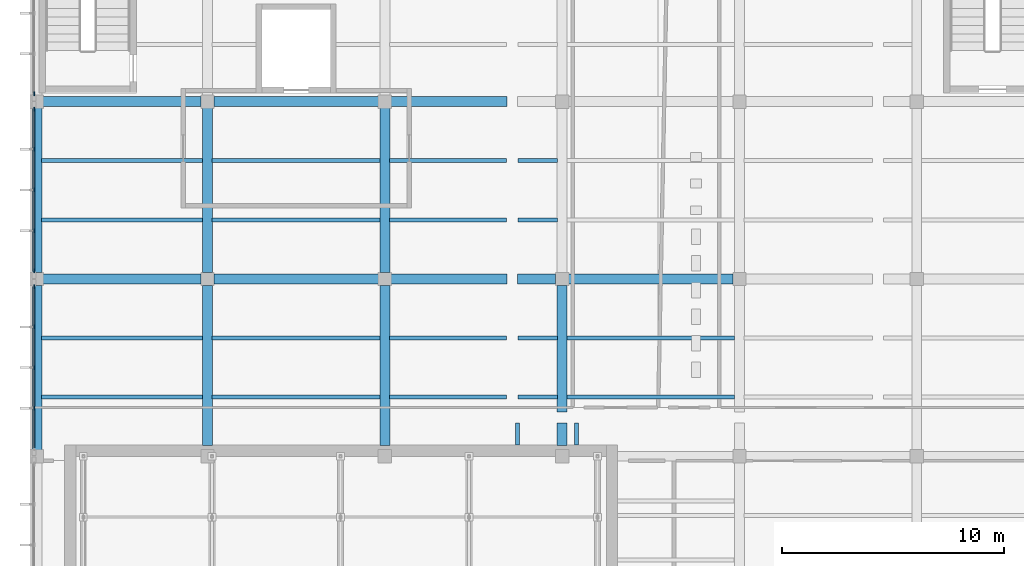
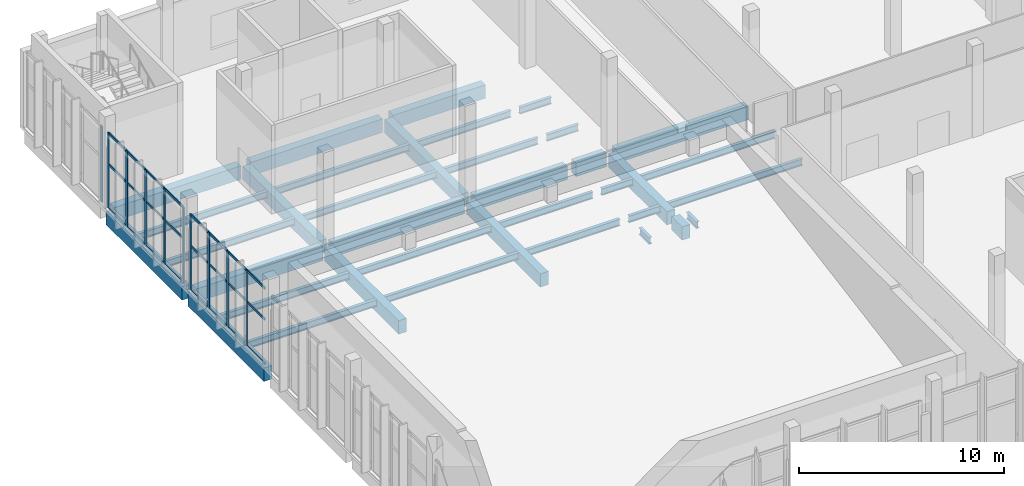
# One storey, part 23 of 132: 36 beams, 34 members, 3 elements without a shape of their own.
"""IFC4 building model written with IfcOpenShell, lengths in metres."""

from ifc_helpers import new_model, si_unit, direction, frame, origin, origin_2d, place, context, subcontext, project, spatial, rectangle, i_section, extrude, material, layer, layer_set, material_profile, profile_set, type_object, element, aggregate, save


model = new_model("IFC4")

# Units and contexts
model_context = context("Model", 3, precision=1e-05, world=origin(), true_north=direction((0.0, 1.0)))
body_context = subcontext(model_context, "Body", "Model", "MODEL_VIEW")
ifc_project = project(units=[si_unit("LENGTHUNIT", "METRE"), si_unit("AREAUNIT", "SQUARE_METRE"), si_unit("VOLUMEUNIT", "CUBIC_METRE"), si_unit("PLANEANGLEUNIT", "RADIAN"), si_unit("MASSUNIT", "GRAM", prefix="KILO")], contexts=[model_context])

# Site, building, storey
site_placement = place(None, origin())
site = spatial("IfcSite", under=ifc_project, at=site_placement, CompositionType="ELEMENT")
building_placement = place(site_placement, origin())
building = spatial("IfcBuilding", under=site, at=building_placement, Name="Lunette Opera House", CompositionType="ELEMENT")
storey_placement = place(building_placement, frame((0.0, 0.0, 17.0)))
storey = spatial("IfcBuildingStorey", under=building, at=storey_placement, Name="L03", CompositionType="ELEMENT", Elevation=17.0)

# Curtain wall, member
ifc_material_1 = material(Name="Aluminium", Category="aluminium")
ifc_layer = layer(ifc_material_1, 0.179931640625)
ifc_layer_set = layer_set([ifc_layer], Name="Aluminium")
curtain_wall_type = type_object("IfcCurtainWallType", Name="SUN FACE CURTAIN WALL", PredefinedType="NOTDEFINED", material=ifc_layer_set)
curtain_wall_1_placement = place(storey_placement, origin())
curtain_wall_1 = element("IfcCurtainWall", 1, at=curtain_wall_1_placement, inside=storey, type_object=curtain_wall_type, Name="Sun Face Curtain Wall F13 L03", PredefinedType="NOTDEFINED")
ifc_material_2 = material(Name="Aluminium", Category="aluminium")
ifc_material_profile_1 = material_profile(ifc_material_2, rectangle(XDim=0.06005859375, YDim=0.179931640625, at=origin_2d()), Name="MULLION 60 X 180")
ifc_profile_set_1 = profile_set([ifc_material_profile_1], Name="Aluminium")
member_type_1 = type_object("IfcMemberType", Name="MULLION 60 X 180", PredefinedType="MULLION", material=ifc_profile_set_1)
member_1_placement = place(storey_placement, frame((8.181884765625, 104.360107421875, 0.0), z_axis=(0.0, 0.0, 1.0), x_axis=(1.0, 0.0, 0.0)))
member_1 = element("IfcMember", 2, at=member_1_placement, type_object=member_type_1, Name="RW-X2043 mullion 5", PredefinedType="MULLION", context=body_context, shape_type="SweptSolid", body=[
    extrude(rectangle(XDim=0.06005859375, YDim=0.179931640625, at=origin_2d()), origin(), (0.0, 0.0, 1.0), 4.550048828125),
])
aggregate(curtain_wall_1, [member_1])

# Curtain wall, members
curtain_wall_2_placement = place(storey_placement, origin())
curtain_wall_2 = element("IfcCurtainWall", 3, at=curtain_wall_2_placement, inside=storey, type_object=curtain_wall_type, Name="Sun Face Curtain Wall F14 L03", PredefinedType="NOTDEFINED")
member_2_placement = place(storey_placement, frame((8.181884765625, 103.666015625, 0.0), z_axis=(0.0, 0.0, 1.0), x_axis=(1.0, 0.0, 0.0)))
member_2 = element("IfcMember", 4, at=member_2_placement, type_object=member_type_1, Name="RW-X2044 mullion 1", PredefinedType="MULLION", context=body_context, shape_type="SweptSolid", body=[
    extrude(rectangle(XDim=0.06005859375, YDim=0.179931640625, at=origin_2d()), origin(), (0.0, 0.0, 1.0), 4.550048828125),
])
member_3_placement = place(storey_placement, frame((8.181884765625, 101.8544921875, 0.0), z_axis=(0.0, 0.0, 1.0), x_axis=(1.0, 0.0, 0.0)))
member_3 = element("IfcMember", 5, at=member_3_placement, type_object=member_type_1, Name="RW-X2044 mullion 2", PredefinedType="MULLION", context=body_context, shape_type="SweptSolid", body=[
    extrude(rectangle(XDim=0.06005859375, YDim=0.179931640625, at=origin_2d()), origin(), (0.0, 0.0, 1.0), 4.550048828125),
])
member_4_placement = place(storey_placement, frame((8.181884765625, 100.012939453125, 0.0), z_axis=(0.0, 0.0, 1.0), x_axis=(1.0, 0.0, 0.0)))
member_4 = element("IfcMember", 6, at=member_4_placement, type_object=member_type_1, Name="RW-X2044 mullion 3", PredefinedType="MULLION", context=body_context, shape_type="SweptSolid", body=[
    extrude(rectangle(XDim=0.06005859375, YDim=0.179931640625, at=origin_2d()), origin(), (0.0, 0.0, 1.0), 4.550048828125),
])
member_5_placement = place(storey_placement, frame((8.181884765625, 98.17138671875, 0.0), z_axis=(0.0, 0.0, 1.0), x_axis=(1.0, 0.0, 0.0)))
member_5 = element("IfcMember", 7, at=member_5_placement, type_object=member_type_1, Name="RW-X2044 mullion 4", PredefinedType="MULLION", context=body_context, shape_type="SweptSolid", body=[
    extrude(rectangle(XDim=0.06005859375, YDim=0.179931640625, at=origin_2d()), origin(), (0.0, 0.0, 1.0), 4.550048828125),
])
member_6_placement = place(storey_placement, frame((8.181884765625, 96.360107421875, 0.0), z_axis=(0.0, 0.0, 1.0), x_axis=(1.0, 0.0, 0.0)))
member_6 = element("IfcMember", 8, at=member_6_placement, type_object=member_type_1, Name="RW-X2044 mullion 5", PredefinedType="MULLION", context=body_context, shape_type="SweptSolid", body=[
    extrude(rectangle(XDim=0.06005859375, YDim=0.179931640625, at=origin_2d()), origin(), (0.0, 0.0, 1.0), 4.550048828125),
])

curtain_wall_3_placement = place(storey_placement, origin())
curtain_wall_3 = element("IfcCurtainWall", 9, at=curtain_wall_3_placement, inside=storey, type_object=curtain_wall_type, Name="Sun Face Curtain Wall F15 L03", PredefinedType="NOTDEFINED")
member_7_placement = place(storey_placement, frame((8.181884765625, 95.639892578125, 0.0), z_axis=(0.0, 0.0, 1.0), x_axis=(1.0, 0.0, 0.0)))
member_7 = element("IfcMember", 10, at=member_7_placement, type_object=member_type_1, Name="RW-X2045 mullion 1", PredefinedType="MULLION", context=body_context, shape_type="SweptSolid", body=[
    extrude(rectangle(XDim=0.06005859375, YDim=0.179931640625, at=origin_2d()), origin(), (0.0, 0.0, 1.0), 4.550048828125),
])
member_8_placement = place(storey_placement, frame((8.181884765625, 93.8349609375, 0.0), z_axis=(0.0, 0.0, 1.0), x_axis=(1.0, 0.0, 0.0)))
member_8 = element("IfcMember", 11, at=member_8_placement, type_object=member_type_1, Name="RW-X2045 mullion 2", PredefinedType="MULLION", context=body_context, shape_type="SweptSolid", body=[
    extrude(rectangle(XDim=0.06005859375, YDim=0.179931640625, at=origin_2d()), origin(), (0.0, 0.0, 1.0), 4.550048828125),
])
member_9_placement = place(storey_placement, frame((8.181884765625, 92.0, 0.0), z_axis=(0.0, 0.0, 1.0), x_axis=(1.0, 0.0, 0.0)))
member_9 = element("IfcMember", 12, at=member_9_placement, type_object=member_type_1, Name="RW-X2045 mullion 3", PredefinedType="MULLION", context=body_context, shape_type="SweptSolid", body=[
    extrude(rectangle(XDim=0.06005859375, YDim=0.179931640625, at=origin_2d()), origin(), (0.0, 0.0, 1.0), 4.550048828125),
])
member_10_placement = place(storey_placement, frame((8.181884765625, 90.1650390625, 0.0), z_axis=(0.0, 0.0, 1.0), x_axis=(1.0, 0.0, 0.0)))
member_10 = element("IfcMember", 13, at=member_10_placement, type_object=member_type_1, Name="RW-X2045 mullion 4", PredefinedType="MULLION", context=body_context, shape_type="SweptSolid", body=[
    extrude(rectangle(XDim=0.06005859375, YDim=0.179931640625, at=origin_2d()), origin(), (0.0, 0.0, 1.0), 4.550048828125),
])

# Beams
ifc_material_3 = material(Name="Concrete C35/45", Category="concrete")
ifc_material_profile_2 = material_profile(ifc_material_3, rectangle(XDim=0.449951171875, YDim=0.800048828125, at=origin_2d()), Name="RC BEAM 450X800")
ifc_profile_set_2 = profile_set([ifc_material_profile_2], Name="Concrete C35/45")
beam_type_1 = type_object("IfcBeamType", Name="RC BEAM 450X800", PredefinedType="BEAM", material=ifc_profile_set_2)
for number, where, z_axis, x_axis, name in (
    (14, (8.300048828125, 88.2900390625, -0.550048828125), (0.0, 1.0, 0.0), (-1.0, 0.0, 0.0), "beam-RW-L03-L03-GY03"),
    (15, (8.300048828125, 96.2900390625, -0.550048828125), (0.0, 1.0, 0.0), (-1.0, 0.0, 0.0), "beam-RW-L03-L03-GY04"),
):
    element("IfcBeam", number, at=place(storey_placement, frame(where, z_axis=z_axis, x_axis=x_axis)), inside=storey, type_object=beam_type_1, Name=name, PredefinedType="BEAM", context=body_context, shape_type="SweptSolid", body=[
        extrude(rectangle(XDim=0.449951171875, YDim=0.800048828125, at=origin_2d()), origin(), (0.0, 0.0, 1.0), 7.419921875),
    ])
beam_1_placement = place(storey_placement, frame((16.0, 88.489990234375, -0.550048828125), z_axis=(0.0, 1.0, 0.0), x_axis=(-1.0, 0.0, 0.0)))
element("IfcBeam", 16, at=beam_1_placement, inside=storey, type_object=beam_type_1, Name="beam-RW-L03-L03-GY13", PredefinedType="BEAM", context=body_context, shape_type="SweptSolid", body=[
    extrude(rectangle(XDim=0.449951171875, YDim=0.800048828125, at=origin_2d()), origin(), (0.0, 0.0, 1.0), 7.219970703125),
])
beam_2_placement = place(storey_placement, frame((16.0, 96.2900390625, -0.550048828125), z_axis=(0.0, 1.0, 0.0), x_axis=(-1.0, 0.0, 0.0)))
element("IfcBeam", 17, at=beam_2_placement, inside=storey, type_object=beam_type_1, Name="beam-RW-L03-L03-GY14", PredefinedType="BEAM", context=body_context, shape_type="SweptSolid", body=[
    extrude(rectangle(XDim=0.449951171875, YDim=0.800048828125, at=origin_2d()), origin(), (0.0, 0.0, 1.0), 7.419921875),
])
beam_3_placement = place(storey_placement, frame((24.0, 88.489990234375, -0.550048828125), z_axis=(0.0, 1.0, 0.0), x_axis=(-1.0, 0.0, 0.0)))
element("IfcBeam", 18, at=beam_3_placement, inside=storey, type_object=beam_type_1, Name="beam-RW-L03-L03-GY23", PredefinedType="BEAM", context=body_context, shape_type="SweptSolid", body=[
    extrude(rectangle(XDim=0.449951171875, YDim=0.800048828125, at=origin_2d()), origin(), (0.0, 0.0, 1.0), 7.219970703125),
])
beam_4_placement = place(storey_placement, frame((24.0, 96.2900390625, -0.550048828125), z_axis=(0.0, 1.0, 0.0), x_axis=(-1.0, 0.0, 0.0)))
element("IfcBeam", 19, at=beam_4_placement, inside=storey, type_object=beam_type_1, Name="beam-RW-L03-L03-GY24", PredefinedType="BEAM", context=body_context, shape_type="SweptSolid", body=[
    extrude(rectangle(XDim=0.449951171875, YDim=0.800048828125, at=origin_2d()), origin(), (0.0, 0.0, 1.0), 7.419921875),
])
beam_5_placement = place(storey_placement, frame((32.0, 88.489990234375, -0.550048828125), z_axis=(0.0, 1.0, 0.0), x_axis=(-1.0, 0.0, 0.0)))
element("IfcBeam", 20, at=beam_5_placement, inside=storey, type_object=beam_type_1, Name="beam-RW-L03-L03-GY33", PredefinedType="BEAM", context=body_context, shape_type="SweptSolid", body=[
    extrude(rectangle(XDim=0.449951171875, YDim=0.800048828125, at=origin_2d()), origin(), (0.0, 0.0, 1.0), 1.02001953125),
])
beam_6_placement = place(storey_placement, frame((32.0, 89.989990234375, -0.550048828125), z_axis=(0.0, 1.0, 0.0), x_axis=(-1.0, 0.0, 0.0)))
element("IfcBeam", 21, at=beam_6_placement, inside=storey, type_object=beam_type_1, Name="beam-RW-L03-L03-GY33-1", PredefinedType="BEAM", context=body_context, shape_type="SweptSolid", body=[
    extrude(rectangle(XDim=0.449951171875, YDim=0.800048828125, at=origin_2d()), origin(), (0.0, 0.0, 1.0), 5.719970703125),
])
beam_7_placement = place(storey_placement, frame((8.590087890625, 96.0, -0.550048828125), z_axis=(1.0, 0.0, 0.0), x_axis=(0.0, 1.0, 0.0)))
element("IfcBeam", 22, at=beam_7_placement, inside=storey, type_object=beam_type_1, Name="beam-RW-L03-L03-GX04", PredefinedType="BEAM", context=body_context, shape_type="SweptSolid", body=[
    extrude(rectangle(XDim=0.449951171875, YDim=0.800048828125, at=origin_2d()), origin(), (0.0, 0.0, 1.0), 7.119873046875),
])
beam_8_placement = place(storey_placement, frame((16.2900390625, 96.0, -0.550048828125), z_axis=(1.0, 0.0, 0.0), x_axis=(0.0, 1.0, 0.0)))
element("IfcBeam", 23, at=beam_8_placement, inside=storey, type_object=beam_type_1, Name="beam-RW-L03-L03-GX14", PredefinedType="BEAM", context=body_context, shape_type="SweptSolid", body=[
    extrude(rectangle(XDim=0.449951171875, YDim=0.800048828125, at=origin_2d()), origin(), (0.0, 0.0, 1.0), 7.419921875),
])
beam_9_placement = place(storey_placement, frame((24.2900390625, 96.0, -0.550048828125), z_axis=(1.0, 0.0, 0.0), x_axis=(0.0, 1.0, 0.0)))
element("IfcBeam", 24, at=beam_9_placement, inside=storey, type_object=beam_type_1, Name="beam-RW-L03-L03-GX24", PredefinedType="BEAM", context=body_context, shape_type="SweptSolid", body=[
    extrude(rectangle(XDim=0.449951171875, YDim=0.800048828125, at=origin_2d()), origin(), (0.0, 0.0, 1.0), 5.219970703125),
])
beam_10_placement = place(storey_placement, frame((29.989990234375, 96.0, -0.550048828125), z_axis=(1.0, 0.0, 0.0), x_axis=(0.0, 1.0, 0.0)))
element("IfcBeam", 25, at=beam_10_placement, inside=storey, type_object=beam_type_1, Name="beam-RW-L03-L03-GX24-1", PredefinedType="BEAM", context=body_context, shape_type="SweptSolid", body=[
    extrude(rectangle(XDim=0.449951171875, YDim=0.800048828125, at=origin_2d()), origin(), (0.0, 0.0, 1.0), 1.719970703125),
])
beam_11_placement = place(storey_placement, frame((32.2900390625, 96.0, -0.550048828125), z_axis=(1.0, 0.0, 0.0), x_axis=(0.0, 1.0, 0.0)))
element("IfcBeam", 26, at=beam_11_placement, inside=storey, type_object=beam_type_1, Name="beam-RW-L03-L03-GX34", PredefinedType="BEAM", context=body_context, shape_type="SweptSolid", body=[
    extrude(rectangle(XDim=0.449951171875, YDim=0.800048828125, at=origin_2d()), origin(), (0.0, 0.0, 1.0), 7.419921875),
])
beam_12_placement = place(storey_placement, frame((8.590087890625, 104.0, -0.550048828125), z_axis=(1.0, 0.0, 0.0), x_axis=(0.0, 1.0, 0.0)))
element("IfcBeam", 27, at=beam_12_placement, inside=storey, type_object=beam_type_1, Name="beam-RW-L03-L03-GX05", PredefinedType="BEAM", context=body_context, shape_type="SweptSolid", body=[
    extrude(rectangle(XDim=0.449951171875, YDim=0.800048828125, at=origin_2d()), origin(), (0.0, 0.0, 1.0), 7.119873046875),
])
beam_13_placement = place(storey_placement, frame((16.2900390625, 104.0, -0.550048828125), z_axis=(1.0, 0.0, 0.0), x_axis=(0.0, 1.0, 0.0)))
element("IfcBeam", 28, at=beam_13_placement, inside=storey, type_object=beam_type_1, Name="beam-RW-L03-L03-GX15", PredefinedType="BEAM", context=body_context, shape_type="SweptSolid", body=[
    extrude(rectangle(XDim=0.449951171875, YDim=0.800048828125, at=origin_2d()), origin(), (0.0, 0.0, 1.0), 7.419921875),
])
beam_14_placement = place(storey_placement, frame((24.2900390625, 104.0, -0.550048828125), z_axis=(1.0, 0.0, 0.0), x_axis=(0.0, 1.0, 0.0)))
element("IfcBeam", 29, at=beam_14_placement, inside=storey, type_object=beam_type_1, Name="beam-RW-L03-L03-GX25", PredefinedType="BEAM", context=body_context, shape_type="SweptSolid", body=[
    extrude(rectangle(XDim=0.449951171875, YDim=0.800048828125, at=origin_2d()), origin(), (0.0, 0.0, 1.0), 5.219970703125),
])
ifc_material_4 = material(Name="Steel S355", Category="steel")
ifc_material_profile_3 = material_profile(ifc_material_4, i_section(OverallWidth=0.179931640625, OverallDepth=0.39990234375, WebThickness=0.008544921875, FlangeThickness=0.013427734375, FilletRadius=0.02099609375, at=origin_2d()), Name="IPE 400")
ifc_profile_set_3 = profile_set([ifc_material_profile_3], Name="Steel S355")
beam_type_2 = type_object("IfcBeamType", Name="STEEL BEAM IPE 400", PredefinedType="BEAM", material=ifc_profile_set_3)
for number, where, z_axis, x_axis, name in (
    (30, (8.514892578125, 90.6669921875, -0.35009765625), (1.0, 0.0, 0.0), (0.0, 1.0, 0.0), "beam-RW-L03-L03-SX031"),
    (31, (8.514892578125, 93.3330078125, -0.35009765625), (1.0, 0.0, 0.0), (0.0, 1.0, 0.0), "beam-RW-L03-L03-SX032"),
    (32, (8.514892578125, 98.6669921875, -0.35009765625), (1.0, 0.0, 0.0), (0.0, 1.0, 0.0), "beam-RW-L03-L03-SX041"),
    (33, (8.514892578125, 101.3330078125, -0.35009765625), (1.0, 0.0, 0.0), (0.0, 1.0, 0.0), "beam-RW-L03-L03-SX042"),
):
    element("IfcBeam", number, at=place(storey_placement, frame(where, z_axis=z_axis, x_axis=x_axis)), inside=storey, type_object=beam_type_2, Name=name, PredefinedType="BEAM", context=body_context, shape_type="SweptSolid", body=[
        extrude(i_section(OverallWidth=0.179931640625, OverallDepth=0.39990234375, WebThickness=0.008544921875, FlangeThickness=0.013427734375, FilletRadius=0.02099609375, at=origin_2d()), origin(), (0.0, 0.0, 1.0), 7.27001953125),
    ])
for number, where, z_axis, x_axis, name in (
    (34, (16.215087890625, 90.6669921875, -0.35009765625), (1.0, 0.0, 0.0), (0.0, 1.0, 0.0), "beam-RW-L03-L03-SX131"),
    (35, (16.215087890625, 93.3330078125, -0.35009765625), (1.0, 0.0, 0.0), (0.0, 1.0, 0.0), "beam-RW-L03-L03-SX132"),
    (36, (16.215087890625, 98.6669921875, -0.35009765625), (1.0, 0.0, 0.0), (0.0, 1.0, 0.0), "beam-RW-L03-L03-SX141"),
    (37, (16.215087890625, 101.3330078125, -0.35009765625), (1.0, 0.0, 0.0), (0.0, 1.0, 0.0), "beam-RW-L03-L03-SX142"),
):
    element("IfcBeam", number, at=place(storey_placement, frame(where, z_axis=z_axis, x_axis=x_axis)), inside=storey, type_object=beam_type_2, Name=name, PredefinedType="BEAM", context=body_context, shape_type="SweptSolid", body=[
        extrude(i_section(OverallWidth=0.179931640625, OverallDepth=0.39990234375, WebThickness=0.008544921875, FlangeThickness=0.013427734375, FilletRadius=0.02099609375, at=origin_2d()), origin(), (0.0, 0.0, 1.0), 7.56982421875),
    ])
beam_15_placement = place(storey_placement, frame((24.215087890625, 90.6669921875, -0.35009765625), z_axis=(1.0, 0.0, 0.0), x_axis=(0.0, 1.0, 0.0)))
element("IfcBeam", 38, at=beam_15_placement, inside=storey, type_object=beam_type_2, Name="beam-RW-L03-L03-SX231", PredefinedType="BEAM", context=body_context, shape_type="SweptSolid", body=[
    extrude(i_section(OverallWidth=0.179931640625, OverallDepth=0.39990234375, WebThickness=0.008544921875, FlangeThickness=0.013427734375, FilletRadius=0.02099609375, at=origin_2d()), origin(), (0.0, 0.0, 1.0), 5.284912109375),
])
beam_16_placement = place(storey_placement, frame((30.0, 90.6669921875, -0.35009765625), z_axis=(1.0, 0.0, 0.0), x_axis=(0.0, 1.0, 0.0)))
element("IfcBeam", 39, at=beam_16_placement, inside=storey, type_object=beam_type_2, Name="beam-RW-L03-L03-SX231-01", PredefinedType="BEAM", context=body_context, shape_type="SweptSolid", body=[
    extrude(i_section(OverallWidth=0.179931640625, OverallDepth=0.39990234375, WebThickness=0.008544921875, FlangeThickness=0.013427734375, FilletRadius=0.02099609375, at=origin_2d()), origin(), (0.0, 0.0, 1.0), 1.784912109375),
])
beam_17_placement = place(storey_placement, frame((24.215087890625, 93.3330078125, -0.35009765625), z_axis=(1.0, 0.0, 0.0), x_axis=(0.0, 1.0, 0.0)))
element("IfcBeam", 40, at=beam_17_placement, inside=storey, type_object=beam_type_2, Name="beam-RW-L03-L03-SX232", PredefinedType="BEAM", context=body_context, shape_type="SweptSolid", body=[
    extrude(i_section(OverallWidth=0.179931640625, OverallDepth=0.39990234375, WebThickness=0.008544921875, FlangeThickness=0.013427734375, FilletRadius=0.02099609375, at=origin_2d()), origin(), (0.0, 0.0, 1.0), 5.284912109375),
])
beam_18_placement = place(storey_placement, frame((30.0, 93.3330078125, -0.35009765625), z_axis=(1.0, 0.0, 0.0), x_axis=(0.0, 1.0, 0.0)))
element("IfcBeam", 41, at=beam_18_placement, inside=storey, type_object=beam_type_2, Name="beam-RW-L03-L03-SX232-01", PredefinedType="BEAM", context=body_context, shape_type="SweptSolid", body=[
    extrude(i_section(OverallWidth=0.179931640625, OverallDepth=0.39990234375, WebThickness=0.008544921875, FlangeThickness=0.013427734375, FilletRadius=0.02099609375, at=origin_2d()), origin(), (0.0, 0.0, 1.0), 1.784912109375),
])
beam_19_placement = place(storey_placement, frame((24.215087890625, 98.6669921875, -0.35009765625), z_axis=(1.0, 0.0, 0.0), x_axis=(0.0, 1.0, 0.0)))
element("IfcBeam", 42, at=beam_19_placement, inside=storey, type_object=beam_type_2, Name="beam-RW-L03-L03-SX241", PredefinedType="BEAM", context=body_context, shape_type="SweptSolid", body=[
    extrude(i_section(OverallWidth=0.179931640625, OverallDepth=0.39990234375, WebThickness=0.008544921875, FlangeThickness=0.013427734375, FilletRadius=0.02099609375, at=origin_2d()), origin(), (0.0, 0.0, 1.0), 5.284912109375),
])
beam_20_placement = place(storey_placement, frame((30.0, 98.6669921875, -0.35009765625), z_axis=(1.0, 0.0, 0.0), x_axis=(0.0, 1.0, 0.0)))
element("IfcBeam", 43, at=beam_20_placement, inside=storey, type_object=beam_type_2, Name="beam-RW-L03-L03-SX241-01", PredefinedType="BEAM", context=body_context, shape_type="SweptSolid", body=[
    extrude(i_section(OverallWidth=0.179931640625, OverallDepth=0.39990234375, WebThickness=0.008544921875, FlangeThickness=0.013427734375, FilletRadius=0.02099609375, at=origin_2d()), origin(), (0.0, 0.0, 1.0), 1.784912109375),
])
beam_21_placement = place(storey_placement, frame((24.215087890625, 101.3330078125, -0.35009765625), z_axis=(1.0, 0.0, 0.0), x_axis=(0.0, 1.0, 0.0)))
element("IfcBeam", 44, at=beam_21_placement, inside=storey, type_object=beam_type_2, Name="beam-RW-L03-L03-SX242", PredefinedType="BEAM", context=body_context, shape_type="SweptSolid", body=[
    extrude(i_section(OverallWidth=0.179931640625, OverallDepth=0.39990234375, WebThickness=0.008544921875, FlangeThickness=0.013427734375, FilletRadius=0.02099609375, at=origin_2d()), origin(), (0.0, 0.0, 1.0), 5.284912109375),
])
beam_22_placement = place(storey_placement, frame((30.0, 101.3330078125, -0.35009765625), z_axis=(1.0, 0.0, 0.0), x_axis=(0.0, 1.0, 0.0)))
element("IfcBeam", 45, at=beam_22_placement, inside=storey, type_object=beam_type_2, Name="beam-RW-L03-L03-SX242-01", PredefinedType="BEAM", context=body_context, shape_type="SweptSolid", body=[
    extrude(i_section(OverallWidth=0.179931640625, OverallDepth=0.39990234375, WebThickness=0.008544921875, FlangeThickness=0.013427734375, FilletRadius=0.02099609375, at=origin_2d()), origin(), (0.0, 0.0, 1.0), 1.784912109375),
])
for number, where, z_axis, x_axis, name in (
    (46, (32.215087890625, 90.6669921875, -0.35009765625), (1.0, 0.0, 0.0), (0.0, 1.0, 0.0), "beam-RW-L03-L03-SX331"),
    (47, (32.215087890625, 93.3330078125, -0.35009765625), (1.0, 0.0, 0.0), (0.0, 1.0, 0.0), "beam-RW-L03-L03-SX332"),
):
    element("IfcBeam", number, at=place(storey_placement, frame(where, z_axis=z_axis, x_axis=x_axis)), inside=storey, type_object=beam_type_2, Name=name, PredefinedType="BEAM", context=body_context, shape_type="SweptSolid", body=[
        extrude(i_section(OverallWidth=0.179931640625, OverallDepth=0.39990234375, WebThickness=0.008544921875, FlangeThickness=0.013427734375, FilletRadius=0.02099609375, at=origin_2d()), origin(), (0.0, 0.0, 1.0), 7.56982421875),
    ])
for number, where, z_axis, x_axis, name in (
    (48, (29.989990234375, 88.5, -0.35009765625), (0.0, 1.0, 0.0), (-1.0, 0.0, 0.0), "beam-RW-L03-L03-RJN10667"),
    (49, (32.659912109375, 88.5, -0.35009765625), (0.0, 1.0, 0.0), (-1.0, 0.0, 0.0), "beam-RW-L03-L03-RJN10668"),
):
    element("IfcBeam", number, at=place(storey_placement, frame(where, z_axis=z_axis, x_axis=x_axis)), inside=storey, type_object=beam_type_2, Name=name, PredefinedType="BEAM", context=body_context, shape_type="SweptSolid", body=[
        extrude(i_section(OverallWidth=0.179931640625, OverallDepth=0.39990234375, WebThickness=0.008544921875, FlangeThickness=0.013427734375, FilletRadius=0.02099609375, at=origin_2d()), origin(), (0.0, 0.0, 1.0), 1.010009765625),
    ])

# Member
ifc_material_5 = material(Name="Aluminium", Category="aluminium")
ifc_material_profile_4 = material_profile(ifc_material_5, rectangle(XDim=0.06005859375, YDim=0.139892578125, at=origin_2d()), Name="TRANSOM 60 X 140")
ifc_profile_set_4 = profile_set([ifc_material_profile_4], Name="Aluminium")
member_type_2 = type_object("IfcMemberType", Name="TRANSOM 60 X 140", PredefinedType="USERDEFINED", material=ifc_profile_set_4)
member_11_placement = place(storey_placement, frame((8.181884765625, 103.635986328125, 0.030029296875), z_axis=(0.0, -1.0, 0.0), x_axis=(1.0, 0.0, 0.0)))
member_11 = element("IfcMember", 50, at=member_11_placement, type_object=member_type_2, Name="RW-X2044 transom 1.1", ObjectType="TRANSOM", PredefinedType="USERDEFINED", context=body_context, shape_type="SweptSolid", body=[
    extrude(rectangle(XDim=0.06005859375, YDim=0.139892578125, at=origin_2d()), origin(), (0.0, 0.0, 1.0), 1.75146484375),
])

member_12_placement = place(storey_placement, frame((8.181884765625, 103.635986328125, 2.675048828125), z_axis=(0.0, -1.0, 0.0), x_axis=(1.0, 0.0, 0.0)))
member_12 = element("IfcMember", 51, at=member_12_placement, type_object=member_type_2, Name="RW-X2044 transom 1.2", ObjectType="TRANSOM", PredefinedType="USERDEFINED", context=body_context, shape_type="SweptSolid", body=[
    extrude(rectangle(XDim=0.06005859375, YDim=0.139892578125, at=origin_2d()), origin(), (0.0, 0.0, 1.0), 1.75146484375),
])

member_13_placement = place(storey_placement, frame((8.181884765625, 103.635986328125, 4.52001953125), z_axis=(0.0, -1.0, 0.0), x_axis=(1.0, 0.0, 0.0)))
member_13 = element("IfcMember", 52, at=member_13_placement, type_object=member_type_2, Name="RW-X2044 transom 1.3", ObjectType="TRANSOM", PredefinedType="USERDEFINED", context=body_context, shape_type="SweptSolid", body=[
    extrude(rectangle(XDim=0.06005859375, YDim=0.139892578125, at=origin_2d()), origin(), (0.0, 0.0, 1.0), 1.75146484375),
])

member_14_placement = place(storey_placement, frame((8.181884765625, 101.824462890625, 0.030029296875), z_axis=(0.0, -1.0, 0.0), x_axis=(1.0, 0.0, 0.0)))
member_14 = element("IfcMember", 53, at=member_14_placement, type_object=member_type_2, Name="RW-X2044 transom 2.1", ObjectType="TRANSOM", PredefinedType="USERDEFINED", context=body_context, shape_type="SweptSolid", body=[
    extrude(rectangle(XDim=0.06005859375, YDim=0.139892578125, at=origin_2d()), origin(), (0.0, 0.0, 1.0), 1.781494140625),
])

member_15_placement = place(storey_placement, frame((8.181884765625, 101.824462890625, 2.675048828125), z_axis=(0.0, -1.0, 0.0), x_axis=(1.0, 0.0, 0.0)))
member_15 = element("IfcMember", 54, at=member_15_placement, type_object=member_type_2, Name="RW-X2044 transom 2.2", ObjectType="TRANSOM", PredefinedType="USERDEFINED", context=body_context, shape_type="SweptSolid", body=[
    extrude(rectangle(XDim=0.06005859375, YDim=0.139892578125, at=origin_2d()), origin(), (0.0, 0.0, 1.0), 1.781494140625),
])

member_16_placement = place(storey_placement, frame((8.181884765625, 101.824462890625, 4.52001953125), z_axis=(0.0, -1.0, 0.0), x_axis=(1.0, 0.0, 0.0)))
member_16 = element("IfcMember", 55, at=member_16_placement, type_object=member_type_2, Name="RW-X2044 transom 2.3", ObjectType="TRANSOM", PredefinedType="USERDEFINED", context=body_context, shape_type="SweptSolid", body=[
    extrude(rectangle(XDim=0.06005859375, YDim=0.139892578125, at=origin_2d()), origin(), (0.0, 0.0, 1.0), 1.781494140625),
])

member_17_placement = place(storey_placement, frame((8.181884765625, 99.98291015625, 0.030029296875), z_axis=(0.0, -1.0, 0.0), x_axis=(1.0, 0.0, 0.0)))
member_17 = element("IfcMember", 56, at=member_17_placement, type_object=member_type_2, Name="RW-X2044 transom 3.1", ObjectType="TRANSOM", PredefinedType="USERDEFINED", context=body_context, shape_type="SweptSolid", body=[
    extrude(rectangle(XDim=0.06005859375, YDim=0.139892578125, at=origin_2d()), origin(), (0.0, 0.0, 1.0), 1.781494140625),
])

member_18_placement = place(storey_placement, frame((8.181884765625, 99.98291015625, 2.675048828125), z_axis=(0.0, -1.0, 0.0), x_axis=(1.0, 0.0, 0.0)))
member_18 = element("IfcMember", 57, at=member_18_placement, type_object=member_type_2, Name="RW-X2044 transom 3.2", ObjectType="TRANSOM", PredefinedType="USERDEFINED", context=body_context, shape_type="SweptSolid", body=[
    extrude(rectangle(XDim=0.06005859375, YDim=0.139892578125, at=origin_2d()), origin(), (0.0, 0.0, 1.0), 1.781494140625),
])

member_19_placement = place(storey_placement, frame((8.181884765625, 99.98291015625, 4.52001953125), z_axis=(0.0, -1.0, 0.0), x_axis=(1.0, 0.0, 0.0)))
member_19 = element("IfcMember", 58, at=member_19_placement, type_object=member_type_2, Name="RW-X2044 transom 3.3", ObjectType="TRANSOM", PredefinedType="USERDEFINED", context=body_context, shape_type="SweptSolid", body=[
    extrude(rectangle(XDim=0.06005859375, YDim=0.139892578125, at=origin_2d()), origin(), (0.0, 0.0, 1.0), 1.781494140625),
])

member_20_placement = place(storey_placement, frame((8.181884765625, 98.1416015625, 0.030029296875), z_axis=(0.0, -1.0, 0.0), x_axis=(1.0, 0.0, 0.0)))
member_20 = element("IfcMember", 59, at=member_20_placement, type_object=member_type_2, Name="RW-X2044 transom 4.1", ObjectType="TRANSOM", PredefinedType="USERDEFINED", context=body_context, shape_type="SweptSolid", body=[
    extrude(rectangle(XDim=0.06005859375, YDim=0.139892578125, at=origin_2d()), origin(), (0.0, 0.0, 1.0), 1.751708984375),
])

member_21_placement = place(storey_placement, frame((8.181884765625, 98.1416015625, 2.675048828125), z_axis=(0.0, -1.0, 0.0), x_axis=(1.0, 0.0, 0.0)))
member_21 = element("IfcMember", 60, at=member_21_placement, type_object=member_type_2, Name="RW-X2044 transom 4.2", ObjectType="TRANSOM", PredefinedType="USERDEFINED", context=body_context, shape_type="SweptSolid", body=[
    extrude(rectangle(XDim=0.06005859375, YDim=0.139892578125, at=origin_2d()), origin(), (0.0, 0.0, 1.0), 1.751708984375),
])

member_22_placement = place(storey_placement, frame((8.181884765625, 98.1416015625, 4.52001953125), z_axis=(0.0, -1.0, 0.0), x_axis=(1.0, 0.0, 0.0)))
member_22 = element("IfcMember", 61, at=member_22_placement, type_object=member_type_2, Name="RW-X2044 transom 4.3", ObjectType="TRANSOM", PredefinedType="USERDEFINED", context=body_context, shape_type="SweptSolid", body=[
    extrude(rectangle(XDim=0.06005859375, YDim=0.139892578125, at=origin_2d()), origin(), (0.0, 0.0, 1.0), 1.751708984375),
])

aggregate(curtain_wall_2, [member_2, member_3, member_4, member_5, member_6, member_11, member_12, member_13, member_14, member_15, member_16, member_17, member_18, member_19, member_20, member_21, member_22])

member_23_placement = place(storey_placement, frame((8.181884765625, 95.610107421875, 0.030029296875), z_axis=(0.0, -1.0, 0.0), x_axis=(1.0, 0.0, 0.0)))
member_23 = element("IfcMember", 62, at=member_23_placement, type_object=member_type_2, Name="RW-X2045 transom 1.1", ObjectType="TRANSOM", PredefinedType="USERDEFINED", context=body_context, shape_type="SweptSolid", body=[
    extrude(rectangle(XDim=0.06005859375, YDim=0.139892578125, at=origin_2d()), origin(), (0.0, 0.0, 1.0), 1.7451171875),
])

member_24_placement = place(storey_placement, frame((8.181884765625, 95.610107421875, 2.675048828125), z_axis=(0.0, -1.0, 0.0), x_axis=(1.0, 0.0, 0.0)))
member_24 = element("IfcMember", 63, at=member_24_placement, type_object=member_type_2, Name="RW-X2045 transom 1.2", ObjectType="TRANSOM", PredefinedType="USERDEFINED", context=body_context, shape_type="SweptSolid", body=[
    extrude(rectangle(XDim=0.06005859375, YDim=0.139892578125, at=origin_2d()), origin(), (0.0, 0.0, 1.0), 1.7451171875),
])

member_25_placement = place(storey_placement, frame((8.181884765625, 95.610107421875, 4.52001953125), z_axis=(0.0, -1.0, 0.0), x_axis=(1.0, 0.0, 0.0)))
member_25 = element("IfcMember", 64, at=member_25_placement, type_object=member_type_2, Name="RW-X2045 transom 1.3", ObjectType="TRANSOM", PredefinedType="USERDEFINED", context=body_context, shape_type="SweptSolid", body=[
    extrude(rectangle(XDim=0.06005859375, YDim=0.139892578125, at=origin_2d()), origin(), (0.0, 0.0, 1.0), 1.7451171875),
])

member_26_placement = place(storey_placement, frame((8.181884765625, 93.804931640625, 0.030029296875), z_axis=(0.0, -1.0, 0.0), x_axis=(1.0, 0.0, 0.0)))
member_26 = element("IfcMember", 65, at=member_26_placement, type_object=member_type_2, Name="RW-X2045 transom 2.1", ObjectType="TRANSOM", PredefinedType="USERDEFINED", context=body_context, shape_type="SweptSolid", body=[
    extrude(rectangle(XDim=0.06005859375, YDim=0.139892578125, at=origin_2d()), origin(), (0.0, 0.0, 1.0), 1.77490234375),
])

member_27_placement = place(storey_placement, frame((8.181884765625, 93.804931640625, 2.675048828125), z_axis=(0.0, -1.0, 0.0), x_axis=(1.0, 0.0, 0.0)))
member_27 = element("IfcMember", 66, at=member_27_placement, type_object=member_type_2, Name="RW-X2045 transom 2.2", ObjectType="TRANSOM", PredefinedType="USERDEFINED", context=body_context, shape_type="SweptSolid", body=[
    extrude(rectangle(XDim=0.06005859375, YDim=0.139892578125, at=origin_2d()), origin(), (0.0, 0.0, 1.0), 1.77490234375),
])

member_28_placement = place(storey_placement, frame((8.181884765625, 93.804931640625, 4.52001953125), z_axis=(0.0, -1.0, 0.0), x_axis=(1.0, 0.0, 0.0)))
member_28 = element("IfcMember", 67, at=member_28_placement, type_object=member_type_2, Name="RW-X2045 transom 2.3", ObjectType="TRANSOM", PredefinedType="USERDEFINED", context=body_context, shape_type="SweptSolid", body=[
    extrude(rectangle(XDim=0.06005859375, YDim=0.139892578125, at=origin_2d()), origin(), (0.0, 0.0, 1.0), 1.77490234375),
])

member_29_placement = place(storey_placement, frame((8.181884765625, 91.969970703125, 0.030029296875), z_axis=(0.0, -1.0, 0.0), x_axis=(1.0, 0.0, 0.0)))
member_29 = element("IfcMember", 68, at=member_29_placement, type_object=member_type_2, Name="RW-X2045 transom 3.1", ObjectType="TRANSOM", PredefinedType="USERDEFINED", context=body_context, shape_type="SweptSolid", body=[
    extrude(rectangle(XDim=0.06005859375, YDim=0.139892578125, at=origin_2d()), origin(), (0.0, 0.0, 1.0), 1.77490234375),
])

member_30_placement = place(storey_placement, frame((8.181884765625, 91.969970703125, 2.675048828125), z_axis=(0.0, -1.0, 0.0), x_axis=(1.0, 0.0, 0.0)))
member_30 = element("IfcMember", 69, at=member_30_placement, type_object=member_type_2, Name="RW-X2045 transom 3.2", ObjectType="TRANSOM", PredefinedType="USERDEFINED", context=body_context, shape_type="SweptSolid", body=[
    extrude(rectangle(XDim=0.06005859375, YDim=0.139892578125, at=origin_2d()), origin(), (0.0, 0.0, 1.0), 1.77490234375),
])

member_31_placement = place(storey_placement, frame((8.181884765625, 91.969970703125, 4.52001953125), z_axis=(0.0, -1.0, 0.0), x_axis=(1.0, 0.0, 0.0)))
member_31 = element("IfcMember", 70, at=member_31_placement, type_object=member_type_2, Name="RW-X2045 transom 3.3", ObjectType="TRANSOM", PredefinedType="USERDEFINED", context=body_context, shape_type="SweptSolid", body=[
    extrude(rectangle(XDim=0.06005859375, YDim=0.139892578125, at=origin_2d()), origin(), (0.0, 0.0, 1.0), 1.77490234375),
])

member_32_placement = place(storey_placement, frame((8.181884765625, 90.135009765625, 0.030029296875), z_axis=(0.0, -1.0, 0.0), x_axis=(1.0, 0.0, 0.0)))
member_32 = element("IfcMember", 71, at=member_32_placement, type_object=member_type_2, Name="RW-X2045 transom 4.1", ObjectType="TRANSOM", PredefinedType="USERDEFINED", context=body_context, shape_type="SweptSolid", body=[
    extrude(rectangle(XDim=0.06005859375, YDim=0.139892578125, at=origin_2d()), origin(), (0.0, 0.0, 1.0), 1.7451171875),
])

member_33_placement = place(storey_placement, frame((8.181884765625, 90.135009765625, 2.675048828125), z_axis=(0.0, -1.0, 0.0), x_axis=(1.0, 0.0, 0.0)))
member_33 = element("IfcMember", 72, at=member_33_placement, type_object=member_type_2, Name="RW-X2045 transom 4.2", ObjectType="TRANSOM", PredefinedType="USERDEFINED", context=body_context, shape_type="SweptSolid", body=[
    extrude(rectangle(XDim=0.06005859375, YDim=0.139892578125, at=origin_2d()), origin(), (0.0, 0.0, 1.0), 1.7451171875),
])

member_34_placement = place(storey_placement, frame((8.181884765625, 90.135009765625, 4.52001953125), z_axis=(0.0, -1.0, 0.0), x_axis=(1.0, 0.0, 0.0)))
member_34 = element("IfcMember", 73, at=member_34_placement, type_object=member_type_2, Name="RW-X2045 transom 4.3", ObjectType="TRANSOM", PredefinedType="USERDEFINED", context=body_context, shape_type="SweptSolid", body=[
    extrude(rectangle(XDim=0.06005859375, YDim=0.139892578125, at=origin_2d()), origin(), (0.0, 0.0, 1.0), 1.7451171875),
])

aggregate(curtain_wall_3, [member_7, member_8, member_9, member_10, member_23, member_24, member_25, member_26, member_27, member_28, member_29, member_30, member_31, member_32, member_33, member_34])

save(model, "model.ifc")
